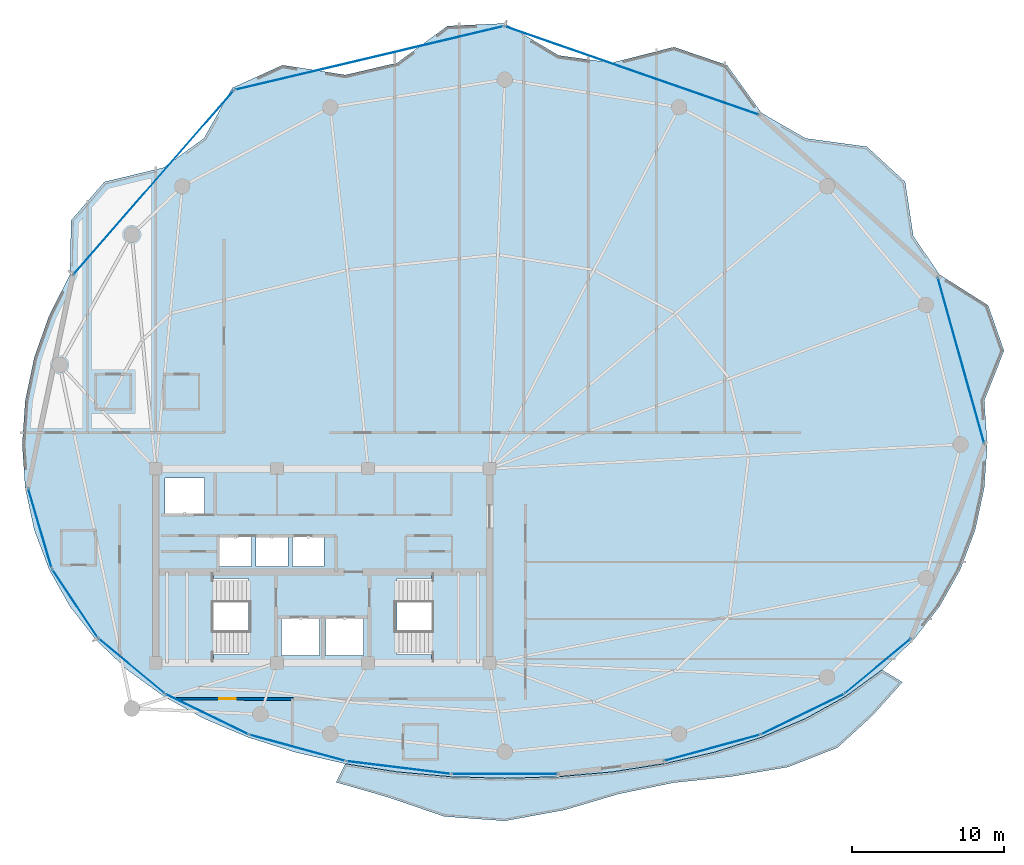
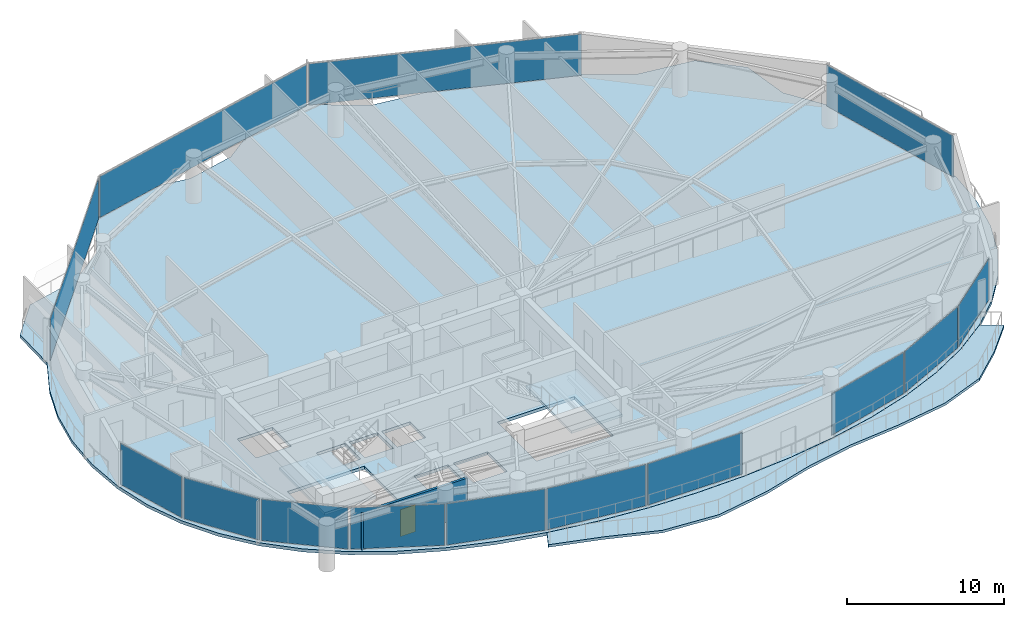
# One storey, part 22 of 29: 14 plates, 4 slabs, 1 door, 1 wall, 1 opening, 16 elements without a shape of their own.
"""IFC4 building model written with IfcOpenShell, lengths in metres."""

from ifc_helpers import new_model, si_unit, direction, frame, frame_2d, origin, origin_2d, place, context, subcontext, project, spatial, polyline, rectangle, outline, extrude, material, layer, layer_set, type_object, element, fill, aggregate, save


model = new_model("IFC4")

# Units and contexts
model_context = context("Model", 3, precision=1e-05, world=origin(), true_north=direction((0.0, 1.0)))
body_context = subcontext(model_context, "Body", "Model", "MODEL_VIEW")
ifc_project = project(units=[si_unit("LENGTHUNIT", "METRE"), si_unit("AREAUNIT", "SQUARE_METRE"), si_unit("VOLUMEUNIT", "CUBIC_METRE"), si_unit("PLANEANGLEUNIT", "RADIAN"), si_unit("MASSUNIT", "GRAM", prefix="KILO")], contexts=[model_context])

# Site, building, storey
site_placement = place(None, origin())
site = spatial("IfcSite", under=ifc_project, at=site_placement, CompositionType="ELEMENT")
building_placement = place(site_placement, origin())
building = spatial("IfcBuilding", under=site, at=building_placement, Name="Kazevale Care Tower and Concert Hall", CompositionType="ELEMENT")
storey_placement = place(building_placement, frame((0.0, 0.0, 224.39990234375)))
storey = spatial("IfcBuildingStorey", under=building, at=storey_placement, Name="L59", CompositionType="ELEMENT", Elevation=224.39990234375)

# Curtain wall, plate
ifc_material_1 = material(Name="Aluminium 6063-T6 and Low-E Glass", Category="aluminium")
ifc_layer_1 = layer(ifc_material_1, 0.179931640625)
ifc_layer_set_1 = layer_set([ifc_layer_1], Name="Aluminium 6063-T6 and Low-E Glass")
curtain_wall_type_1 = type_object("IfcCurtainWallType", Name="Convex Checkerboard Finned Curtain Wall CW-2", PredefinedType="NOTDEFINED", material=ifc_layer_set_1)
curtain_wall_1_placement = place(storey_placement, origin())
curtain_wall_1 = element("IfcCurtainWall", 1, at=curtain_wall_1_placement, inside=storey, type_object=curtain_wall_type_1, Name="cw:L59:f14", PredefinedType="NOTDEFINED")
ifc_material_2 = material(Name="Low-E Laminated Glass", Category="glass")
ifc_layer_2 = layer(ifc_material_2, 0.028076171875)
ifc_layer_set_2 = layer_set([ifc_layer_2], Name="Low-E Laminated Glass")
plate_type_1 = type_object("IfcPlateType", Name="CW-2 Low-E Glazing Panel 28mm", PredefinedType="CURTAIN_PANEL", material=ifc_layer_set_2)
plate_1_placement = place(storey_placement, frame((21.85009765625, 55.2529296875, 0.0751953125), z_axis=(0.0, 0.0, 1.0), x_axis=(0.657174776708, 0.753738225685, 0.0)))
plate_1 = element("IfcPlate", 2, at=plate_1_placement, type_object=plate_type_1, Name="CW-2 panel 1.1", PredefinedType="CURTAIN_PANEL", context=body_context, shape_type="SweptSolid", body=[
    extrude(rectangle(XDim=16.03662109375, YDim=0.028076171875, at=origin_2d()), origin(), (0.0, 0.0, 1.0), 3.2099609375),
])
aggregate(curtain_wall_1, [plate_1])

curtain_wall_2_placement = place(storey_placement, origin())
curtain_wall_2 = element("IfcCurtainWall", 3, at=curtain_wall_2_placement, inside=storey, type_object=curtain_wall_type_1, Name="cw:L59:f16", PredefinedType="NOTDEFINED")
plate_2_placement = place(storey_placement, frame((53.37451171875, 62.638427734375, 0.0751953125), z_axis=(0.0, 0.0, 1.0), x_axis=(0.94447485363, -0.328583704497, 0.0)))
plate_2 = element("IfcPlate", 4, at=plate_2_placement, type_object=plate_type_1, Name="CW-2 panel 1.1", PredefinedType="CURTAIN_PANEL", context=body_context, shape_type="SweptSolid", body=[
    extrude(rectangle(XDim=17.671142578125, YDim=0.028076171875, at=origin_2d()), origin(), (0.0, 0.0, 1.0), 3.2099609375),
])
aggregate(curtain_wall_2, [plate_2])

ifc_layer_3 = layer(ifc_material_1, 0.179931640625)
ifc_layer_set_3 = layer_set([ifc_layer_3], Name="Aluminium 6063-T6 and Low-E Glass")
curtain_wall_type_2 = type_object("IfcCurtainWallType", Name="Waist & Upper Residential Curtain Wall CW-4", PredefinedType="NOTDEFINED", material=ifc_layer_set_3)
curtain_wall_3_placement = place(storey_placement, origin())
curtain_wall_3 = element("IfcCurtainWall", 5, at=curtain_wall_3_placement, inside=storey, type_object=curtain_wall_type_2, Name="cw:L59:f11", PredefinedType="NOTDEFINED")
ifc_layer_4 = layer(ifc_material_2, 0.030029296875)
ifc_layer_set_4 = layer_set([ifc_layer_4], Name="Low-E Laminated Glass")
plate_type_2 = type_object("IfcPlateType", Name="CW-4 Low-E Glazing Panel 30mm", PredefinedType="CURTAIN_PANEL", material=ifc_layer_set_4)
plate_3_placement = place(storey_placement, frame((16.677978515625, 27.525390625, 0.080078125), z_axis=(0.0, 0.0, 1.0), x_axis=(-0.554616540853, 0.832106058512, 0.0)))
plate_3 = element("IfcPlate", 6, at=plate_3_placement, type_object=plate_type_2, Name="CW-4 panel 1.1", PredefinedType="CURTAIN_PANEL", context=body_context, shape_type="SweptSolid", body=[
    extrude(rectangle(XDim=5.357421875, YDim=0.030029296875, at=origin_2d()), origin(), (0.0, 0.0, 1.0), 3.199951171875),
])
aggregate(curtain_wall_3, [plate_3])

curtain_wall_4_placement = place(storey_placement, origin())
curtain_wall_4 = element("IfcCurtainWall", 7, at=curtain_wall_4_placement, inside=storey, type_object=curtain_wall_type_2, Name="cw:L59:f12", PredefinedType="NOTDEFINED")
plate_4_placement = place(storey_placement, frame((14.363525390625, 32.489013671875, 0.080078125), z_axis=(0.0, 0.0, 1.0), x_axis=(-0.282098184457, 0.959385539982, 0.0)))
plate_4 = element("IfcPlate", 8, at=plate_4_placement, type_object=plate_type_2, Name="CW-4 panel 1.1", PredefinedType="CURTAIN_PANEL", context=body_context, shape_type="SweptSolid", body=[
    extrude(rectangle(XDim=5.40185546875, YDim=0.030029296875, at=origin_2d()), origin(), (0.0, 0.0, 1.0), 3.199951171875),
])
aggregate(curtain_wall_4, [plate_4])

curtain_wall_5_placement = place(storey_placement, origin())
curtain_wall_5 = element("IfcCurtainWall", 9, at=curtain_wall_5_placement, inside=storey, type_object=curtain_wall_type_2, Name="cw:L59:f15", PredefinedType="NOTDEFINED")
plate_5_placement = place(storey_placement, frame((36.06298828125, 63.46240234375, 0.080078125), z_axis=(0.0, 0.0, 1.0), x_axis=(0.973086746233, 0.230439111929, 0.0)))
plate_5 = element("IfcPlate", 10, at=plate_5_placement, type_object=plate_type_2, Name="CW-4 panel 1.1", PredefinedType="CURTAIN_PANEL", context=body_context, shape_type="SweptSolid", body=[
    extrude(rectangle(XDim=18.11376953125, YDim=0.030029296875, at=origin_2d()), origin(), (0.0, 0.0, 1.0), 3.199951171875),
])
aggregate(curtain_wall_5, [plate_5])

curtain_wall_6_placement = place(storey_placement, origin())
curtain_wall_6 = element("IfcCurtainWall", 11, at=curtain_wall_6_placement, inside=storey, type_object=curtain_wall_type_2, Name="cw:L59:f18", PredefinedType="NOTDEFINED")
plate_6_placement = place(storey_placement, frame((75.071533203125, 43.531005859375, 0.080078125), z_axis=(0.0, 0.0, 1.0), x_axis=(0.269600864915, -0.962972156211, 0.0)))
plate_6 = element("IfcPlate", 12, at=plate_6_placement, type_object=plate_type_2, Name="CW-4 panel 1.1", PredefinedType="CURTAIN_PANEL", context=body_context, shape_type="SweptSolid", body=[
    extrude(rectangle(XDim=11.327392578125, YDim=0.030029296875, at=origin_2d()), origin(), (0.0, 0.0, 1.0), 3.199951171875),
])
aggregate(curtain_wall_6, [plate_6])

ifc_layer_5 = layer(ifc_material_1, 0.179931640625)
ifc_layer_set_5 = layer_set([ifc_layer_5], Name="Aluminium 6063-T6 and Low-E Glass")
curtain_wall_type_3 = type_object("IfcCurtainWallType", Name="Sheltered Concave Balcony Curtain Wall CW-5", PredefinedType="NOTDEFINED", material=ifc_layer_set_5)
curtain_wall_7_placement = place(storey_placement, origin())
curtain_wall_7 = element("IfcCurtainWall", 13, at=curtain_wall_7_placement, inside=storey, type_object=curtain_wall_type_3, Name="cw:L59:f02", PredefinedType="NOTDEFINED")
ifc_layer_6 = layer(ifc_material_2, 0.02587890625)
ifc_layer_set_6 = layer_set([ifc_layer_6], Name="Low-E Laminated Glass")
plate_type_3 = type_object("IfcPlateType", Name="CW-5 Low-E Glazing Panel 26mm", PredefinedType="CURTAIN_PANEL", material=ifc_layer_set_6)
plate_7_placement = place(storey_placement, frame((69.590576171875, 23.396484375, 0.0751953125), z_axis=(0.0, 0.0, 1.0), x_axis=(-0.768407210062, -0.639961217204, 0.0)))
plate_7 = element("IfcPlate", 14, at=plate_7_placement, type_object=plate_type_3, Name="CW-5 panel 1.1", PredefinedType="CURTAIN_PANEL", context=body_context, shape_type="SweptSolid", body=[
    extrude(rectangle(XDim=5.580078125, YDim=0.02587890625, at=origin_2d()), origin(), (0.0, 0.0, 1.0), 3.2099609375),
])
aggregate(curtain_wall_7, [plate_7])

curtain_wall_8_placement = place(storey_placement, origin())
curtain_wall_8 = element("IfcCurtainWall", 15, at=curtain_wall_8_placement, inside=storey, type_object=curtain_wall_type_3, Name="cw:L59:f03", PredefinedType="NOTDEFINED")
plate_8_placement = place(storey_placement, frame((64.62255859375, 20.218017578125, 0.0751953125), z_axis=(0.0, 0.0, 1.0), x_axis=(-0.89934566163, -0.437238357087, 0.0)))
plate_8 = element("IfcPlate", 16, at=plate_8_placement, type_object=plate_type_3, Name="CW-5 panel 1.1", PredefinedType="CURTAIN_PANEL", context=body_context, shape_type="SweptSolid", body=[
    extrude(rectangle(XDim=6.002197265625, YDim=0.02587890625, at=origin_2d()), origin(), (0.0, 0.0, 1.0), 3.2099609375),
])
aggregate(curtain_wall_8, [plate_8])

curtain_wall_9_placement = place(storey_placement, origin())
curtain_wall_9 = element("IfcCurtainWall", 17, at=curtain_wall_9_placement, inside=storey, type_object=curtain_wall_type_3, Name="cw:L59:f04", PredefinedType="NOTDEFINED")
plate_9_placement = place(storey_placement, frame((58.66259765625, 18.0029296875, 0.0751953125), z_axis=(0.0, 0.0, 1.0), x_axis=(-0.964836991167, -0.262848968947, 0.0)))
plate_9 = element("IfcPlate", 18, at=plate_9_placement, type_object=plate_type_3, Name="CW-5 panel 1.1", PredefinedType="CURTAIN_PANEL", context=body_context, shape_type="SweptSolid", body=[
    extrude(rectangle(XDim=6.4697265625, YDim=0.02587890625, at=origin_2d()), origin(), (0.0, 0.0, 1.0), 3.2099609375),
])
aggregate(curtain_wall_9, [plate_9])

curtain_wall_10_placement = place(storey_placement, origin())
curtain_wall_10 = element("IfcCurtainWall", 19, at=curtain_wall_10_placement, inside=storey, type_object=curtain_wall_type_3, Name="cw:L59:f06", PredefinedType="NOTDEFINED")
plate_10_placement = place(storey_placement, frame((45.0, 16.284912109375, 0.0751953125), z_axis=(0.0, 0.0, 1.0), x_axis=(-1.0, 0.0, 0.0)))
plate_10 = element("IfcPlate", 20, at=plate_10_placement, type_object=plate_type_3, Name="CW-5 panel 1.1", PredefinedType="CURTAIN_PANEL", context=body_context, shape_type="SweptSolid", body=[
    extrude(rectangle(XDim=6.949951171875, YDim=0.02587890625, at=origin_2d()), origin(), (0.0, 0.0, 1.0), 3.2099609375),
])
aggregate(curtain_wall_10, [plate_10])

curtain_wall_11_placement = place(storey_placement, origin())
curtain_wall_11 = element("IfcCurtainWall", 21, at=curtain_wall_11_placement, inside=storey, type_object=curtain_wall_type_3, Name="cw:L59:f07", PredefinedType="NOTDEFINED")
plate_11_placement = place(storey_placement, frame((37.990478515625, 16.708984375, 0.0751953125), z_axis=(0.0, 0.0, 1.0), x_axis=(-0.992572961225, 0.121650797964, 0.0)))
plate_11 = element("IfcPlate", 22, at=plate_11_placement, type_object=plate_type_3, Name="CW-5 panel 1.1", PredefinedType="CURTAIN_PANEL", context=body_context, shape_type="SweptSolid", body=[
    extrude(rectangle(XDim=6.82080078125, YDim=0.02587890625, at=origin_2d()), origin(), (0.0, 0.0, 1.0), 3.2099609375),
])
aggregate(curtain_wall_11, [plate_11])

curtain_wall_12_placement = place(storey_placement, origin())
curtain_wall_12 = element("IfcCurtainWall", 23, at=curtain_wall_12_placement, inside=storey, type_object=curtain_wall_type_3, Name="cw:L59:f08", PredefinedType="NOTDEFINED")
plate_12_placement = place(storey_placement, frame((31.33740234375, 18.0029296875, 0.0751953125), z_axis=(0.0, 0.0, 1.0), x_axis=(-0.964836991167, 0.262848968947, 0.0)))
plate_12 = element("IfcPlate", 24, at=plate_12_placement, type_object=plate_type_3, Name="CW-5 panel 1.1", PredefinedType="CURTAIN_PANEL", context=body_context, shape_type="SweptSolid", body=[
    extrude(rectangle(XDim=6.4697265625, YDim=0.02587890625, at=origin_2d()), origin(), (0.0, 0.0, 1.0), 3.2099609375),
])
aggregate(curtain_wall_12, [plate_12])

curtain_wall_13_placement = place(storey_placement, origin())
curtain_wall_13 = element("IfcCurtainWall", 25, at=curtain_wall_13_placement, inside=storey, type_object=curtain_wall_type_3, Name="cw:L59:f09", PredefinedType="NOTDEFINED")
plate_13_placement = place(storey_placement, frame((25.37744140625, 20.218017578125, 0.0751953125), z_axis=(0.0, 0.0, 1.0), x_axis=(-0.89934566163, 0.437238357087, 0.0)))
plate_13 = element("IfcPlate", 26, at=plate_13_placement, type_object=plate_type_3, Name="CW-5 panel 1.1", PredefinedType="CURTAIN_PANEL", context=body_context, shape_type="SweptSolid", body=[
    extrude(rectangle(XDim=6.002197265625, YDim=0.02587890625, at=origin_2d()), origin(), (0.0, 0.0, 1.0), 3.2099609375),
])
aggregate(curtain_wall_13, [plate_13])

curtain_wall_14_placement = place(storey_placement, origin())
curtain_wall_14 = element("IfcCurtainWall", 27, at=curtain_wall_14_placement, inside=storey, type_object=curtain_wall_type_3, Name="cw:L59:f10", PredefinedType="NOTDEFINED")
plate_14_placement = place(storey_placement, frame((20.409423828125, 23.396484375, 0.0751953125), z_axis=(0.0, 0.0, 1.0), x_axis=(-0.768407210062, 0.639961217204, 0.0)))
plate_14 = element("IfcPlate", 28, at=plate_14_placement, type_object=plate_type_3, Name="CW-5 panel 1.1", PredefinedType="CURTAIN_PANEL", context=body_context, shape_type="SweptSolid", body=[
    extrude(rectangle(XDim=5.580078125, YDim=0.02587890625, at=origin_2d()), origin(), (0.0, 0.0, 1.0), 3.2099609375),
])
aggregate(curtain_wall_14, [plate_14])

# Slab
ifc_material_3 = material(Name="Concrete C40", Category="concrete")
ifc_layer_7 = layer(ifc_material_3, 0.199951171875)
ifc_layer_set_7 = layer_set([ifc_layer_7], Name="Concrete C40")
slab_type_1 = type_object("IfcSlabType", Name="Sinusoidal Concave Balcony Slab 200", PredefinedType="USERDEFINED", material=ifc_layer_set_7)
slab_1_placement = place(storey_placement, frame((0.0, 0.0, -0.199951171875)))
element("IfcSlab", 29, at=slab_1_placement, inside=storey, type_object=slab_type_1, Name="slab:L59:bal", ObjectType="BALCONY", PredefinedType="USERDEFINED", context=body_context, shape_type="SweptSolid", body=[
    extrude(outline(polyline([(71.2080078125, 22.332275390625), (69.225830078125, 20.127197265625), (66.927734375, 18.01953125), (63.6474609375, 16.731689453125), (59.890869140625, 16.10595703125), (56.126220703125, 15.70751953125), (52.550048828125, 14.9775390625), (48.918212890625, 13.905029296875), (45.0, 13.19091796875), (41.012939453125, 13.482421875), (37.37060546875, 14.735107421875), (33.886962890625, 15.7333984375), (34.494873046875, 16.951416015625), (34.49609375, 16.951171875), (37.923095703125, 16.417236328125), (41.439208984375, 16.10009765625), (45.0, 15.9951171875), (48.560791015625, 16.10009765625), (52.076904296875, 16.417236328125), (55.50390625, 16.951171875), (58.798828125, 17.708740234375), (61.92041015625, 18.69873046875), (64.8291015625, 19.92919921875), (67.48876953125, 21.406494140625), (69.865478515625, 23.133056640625), (69.86669921875, 23.13427734375), (71.2080078125, 22.332275390625)])), origin(), (0.0, 0.0, 1.0), 0.199951171875),
])

# Stair, slab
stair_type = type_object("IfcStairType", Name="Exit Stair Assembly ST1-Z3", PredefinedType="HALF_TURN_STAIR", material=ifc_material_3)
stair_1_placement = place(storey_placement, origin())
stair_1 = element("IfcStair", 30, at=stair_1_placement, inside=storey, type_object=stair_type, Name="stair:L59:ST1", PredefinedType="HALF_TURN_STAIR")
ifc_layer_8 = layer(ifc_material_3, 0.199951171875)
ifc_layer_set_8 = layer_set([ifc_layer_8], Name="Concrete C40")
slab_type_2 = type_object("IfcSlabType", Name="Stair Half-Landing Slab ST1-Z3", PredefinedType="LANDING", material=ifc_layer_set_8)
slab_2_placement = place(storey_placement, frame((0.0, 0.0, 1.60009765625)))
slab_2 = element("IfcSlab", 31, at=slab_2_placement, type_object=slab_type_2, Name="ST1-Z3 landing 1", PredefinedType="LANDING", context=body_context, shape_type="SweptSolid", body=[
    extrude(outline(polyline([(22.050048828125, 23.699951171875), (25.81005859375, 23.699951171875), (25.81005859375, 29.5), (22.050048828125, 29.5), (22.050048828125, 23.699951171875)])), origin(), (0.0, 0.0, 1.0), 0.199951171875),
])
aggregate(stair_1, [slab_2])

stair_2_placement = place(storey_placement, origin())
stair_2 = element("IfcStair", 32, at=stair_2_placement, inside=storey, type_object=stair_type, Name="stair:L59:ST2", PredefinedType="HALF_TURN_STAIR")
slab_3_placement = place(storey_placement, frame((0.0, 0.0, 1.60009765625)))
slab_3 = element("IfcSlab", 33, at=slab_3_placement, type_object=slab_type_2, Name="ST1-Z3 landing 1", PredefinedType="LANDING", context=body_context, shape_type="SweptSolid", body=[
    extrude(outline(polyline([(40.18994140625, 23.699951171875), (43.949951171875, 23.699951171875), (43.949951171875, 29.5), (40.18994140625, 29.5), (40.18994140625, 23.699951171875)])), origin(), (0.0, 0.0, 1.0), 0.199951171875),
])
aggregate(stair_2, [slab_3])

# Slab
ifc_layer_9 = layer(ifc_material_3, 0.239990234375)
ifc_layer_set_9 = layer_set([ifc_layer_9], Name="Concrete C40")
slab_type_3 = type_object("IfcSlabType", Name="Tower Typical Floor Slab 240", PredefinedType="FLOOR", material=ifc_layer_set_9)
slab_4_placement = place(storey_placement, frame((0.0, 0.0, -0.239990234375)))
element("IfcSlab", 34, at=slab_4_placement, inside=storey, type_object=slab_type_3, Name="slab:L59:tw:1", PredefinedType="FLOOR", context=body_context, shape_type="SweptSolid", body=[
    extrude(outline(polyline([(76.800048828125, 38.0), (76.60009765625, 40.888671875), (77.90380859375, 44.175048828125), (76.856201171875, 47.165283203125), (73.65087890625, 49.194091796875), (71.92578125, 51.726318359375), (71.38671875, 55.3017578125), (68.864990234375, 57.622314453125), (64.826904296875, 58.17138671875), (61.918701171875, 59.845458984375), (59.6435546875, 63.001953125), (56.14697265625, 64.19287109375), (52.076171875, 63.153076171875), (48.560546875, 63.6376953125), (45.0, 65.75), (41.22119140625, 65.575439453125), (37.923828125, 63.153076171875), (34.4970703125, 62.352294921875), (30.3564453125, 63.001953125), (27.0439453125, 61.49658203125), (25.173095703125, 58.17138671875), (22.513916015625, 56.243408203125), (18.61328125, 55.3017578125), (16.423095703125, 52.763916015625), (16.34912109375, 49.194091796875), (14.984619140625, 46.521240234375), (13.997314453125, 43.740966796875), (13.39990234375, 40.888671875), (13.199951171875, 38.0), (13.39990234375, 35.131103515625), (13.997314453125, 32.362060546875), (14.984619140625, 29.744873046875), (16.34912109375, 27.318115234375), (18.07421875, 25.109130859375), (20.1376953125, 23.13671875), (22.513916015625, 21.41064453125), (25.173095703125, 19.933837890625), (28.081298828125, 18.70361328125), (31.202392578125, 17.713623046875), (34.4970703125, 16.9560546875), (37.923828125, 16.422119140625), (41.439453125, 16.10498046875), (45.0, 16.0), (48.560546875, 16.10498046875), (52.076171875, 16.422119140625), (55.5029296875, 16.9560546875), (58.797607421875, 17.713623046875), (61.918701171875, 18.70361328125), (64.826904296875, 19.933837890625), (67.486083984375, 21.41064453125), (69.8623046875, 23.13671875), (71.92578125, 25.109130859375), (73.65087890625, 27.318115234375), (75.015380859375, 29.744873046875), (76.002685546875, 32.362060546875), (76.60009765625, 35.131103515625), (76.800048828125, 38.0)]), holes=[polyline([(22.449951171875, 24.14990234375), (28.110107421875, 24.14990234375), (28.110107421875, 29.14990234375), (22.449951171875, 29.14990234375), (22.449951171875, 24.14990234375)]), polyline([(37.889892578125, 24.14990234375), (43.550048828125, 24.14990234375), (43.550048828125, 29.14990234375), (37.889892578125, 29.14990234375), (37.889892578125, 24.14990234375)]), polyline([(30.300048828125, 24.10009765625), (32.800048828125, 24.10009765625), (32.800048828125, 26.60009765625), (30.300048828125, 26.60009765625), (30.300048828125, 24.10009765625)]), polyline([(33.199951171875, 24.10009765625), (35.699951171875, 24.10009765625), (35.699951171875, 26.60009765625), (33.199951171875, 26.60009765625), (33.199951171875, 24.10009765625)]), polyline([(22.60009765625, 33.39990234375), (25.199951171875, 33.39990234375), (25.199951171875, 35.800048828125), (22.60009765625, 35.800048828125), (22.60009765625, 33.39990234375)]), polyline([(26.199951171875, 29.949951171875), (28.300048828125, 29.949951171875), (28.300048828125, 31.949951171875), (26.199951171875, 31.949951171875), (26.199951171875, 29.949951171875)]), polyline([(28.60009765625, 29.949951171875), (30.699951171875, 29.949951171875), (30.699951171875, 31.949951171875), (28.60009765625, 31.949951171875), (28.60009765625, 29.949951171875)]), polyline([(31.0, 29.949951171875), (33.10009765625, 29.949951171875), (33.10009765625, 31.949951171875), (31.0, 31.949951171875), (31.0, 29.949951171875)])]), origin(), (0.0, 0.0, 1.0), 0.239990234375),
])

# Wall, opening, door
ifc_material_4 = material(Name="Concrete C40 and Acoustic Gypsum", Category="concrete")
ifc_layer_10 = layer(ifc_material_4, 0.179931640625)
ifc_layer_set_10 = layer_set([ifc_layer_10], Name="Concrete C40 and Acoustic Gypsum")
wall_type = type_object("IfcWallType", Name="Fire-Rated Corridor & Party Wall 180", PredefinedType="PARTITIONING", material=ifc_layer_set_10)
wall_placement = place(storey_placement, frame((31.06494140625, 21.22509765625, 0.0), z_axis=(0.0, 0.0, 1.0), x_axis=(-0.999997658061, 0.002164225532, 0.0)))
wall = element("IfcWall", 35, at=wall_placement, inside=storey, type_object=wall_type, Name="wall:L59:auto_016", PredefinedType="PARTITIONING", context=body_context, shape_type="SweptSolid", body=[
    extrude(rectangle(XDim=7.78369140625, YDim=0.179931640625, at=frame_2d((3.891845703125, 0.0))), origin(), (0.0, 0.0, 1.0), 2.89013671875),
])
opening_placement = place(wall_placement, frame((3.779052734375, 0.0, 0.0)))
opening = element("IfcOpeningElement", 36, at=opening_placement, cuts=wall, Name="Opening ID-1100", PredefinedType="OPENING", context=body_context, shape_type="SweptSolid", body=[
    extrude(rectangle(XDim=1.10009765625, YDim=2.10009765625, at=frame_2d((0.550048828125, 1.050048828125))), frame((0.0, 0.099853515625, 0.0), z_axis=(0.0, -1.0, 0.0), x_axis=(1.0, 0.0, 0.0)), (0.0, 0.0, 1.0), 0.199951171875),
])
ifc_material_5 = material(Name="Oak Timber Fire Leaf", Category="wood")
door_type = type_object("IfcDoorType", Name="Care Bedroom Accessible Door 1100x2100", OperationType="NOTDEFINED", PredefinedType="DOOR", material=ifc_material_5)
door_placement = place(opening_placement, origin())
door = element("IfcDoor", 37, at=door_placement, inside=storey, type_object=door_type, Name="door:L59:ad_016", OperationType="SINGLE_SWING_LEFT", OverallHeight=2.10009765625, OverallWidth=1.10009765625, PredefinedType="DOOR", context=body_context, shape_type="SweptSolid", body=[
    extrude(rectangle(XDim=1.10009765625, YDim=2.10009765625, at=frame_2d((0.550048828125, 1.050048828125))), frame((0.0, 0.02490234375, 0.0), z_axis=(0.0, -1.0, 0.0), x_axis=(1.0, 0.0, 0.0)), (0.0, 0.0, 1.0), 0.050048828125),
])
fill(opening, door)

save(model, "model.ifc")
